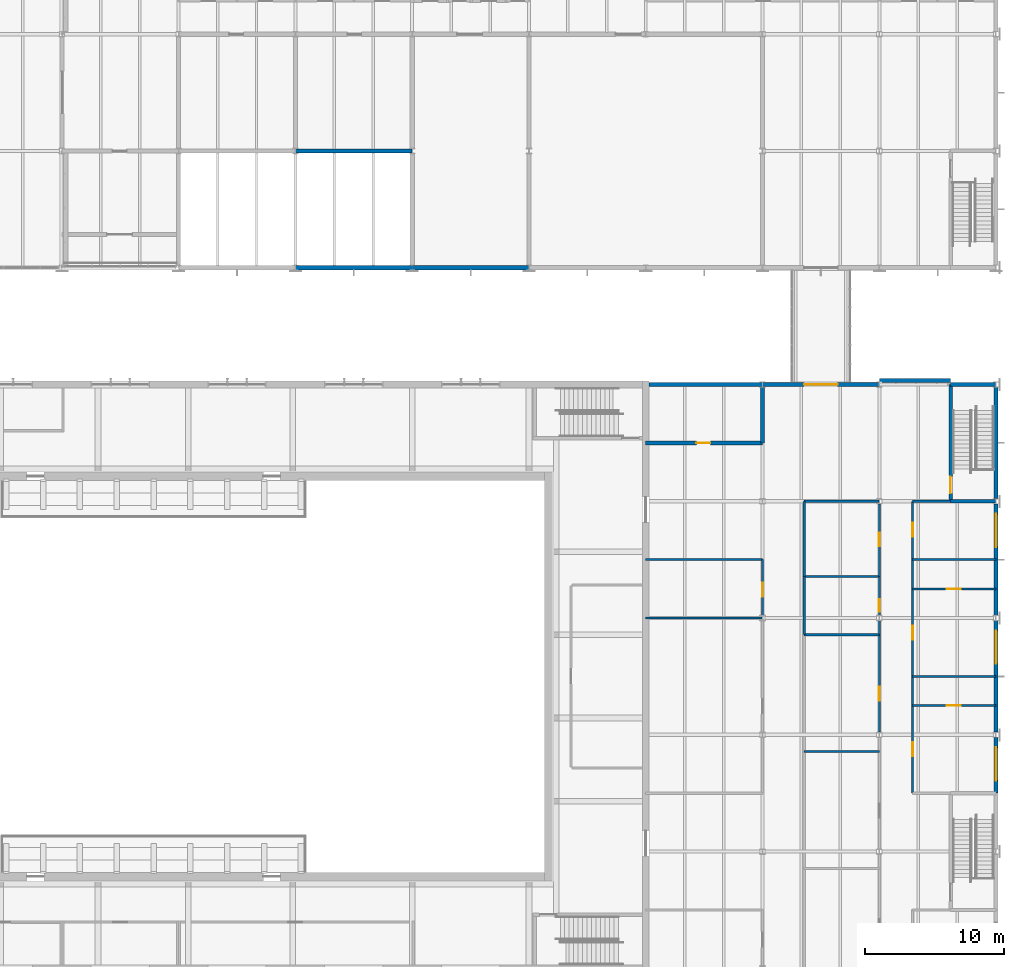
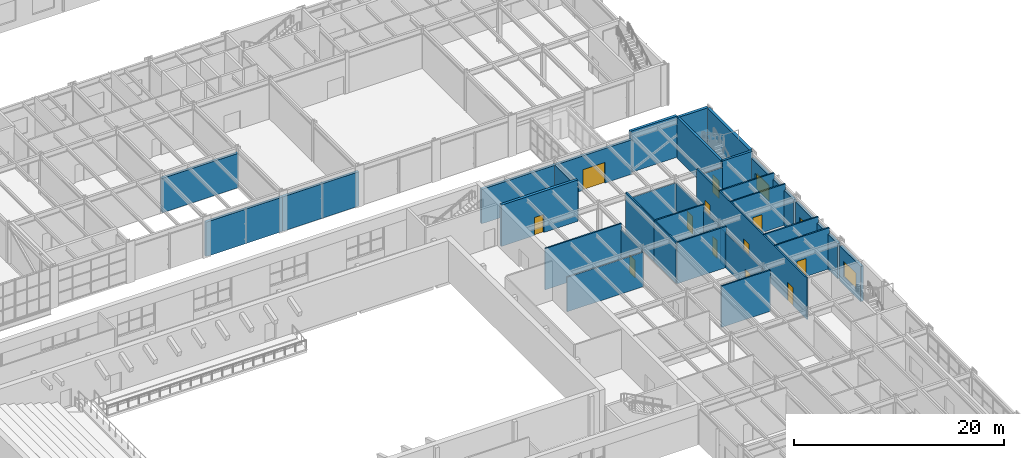
# One storey, part 81 of 127: 34 walls, 12 doors, 3 windows, 15 openings.
"""IFC4 building model written with IfcOpenShell, lengths in metres."""

from ifc_helpers import new_model, si_unit, direction, frame, frame_2d, origin, place, context, subcontext, project, spatial, rectangle, extrude, material, layer, layer_set, type_object, element, fill, save


model = new_model("IFC4")

# Units and contexts
model_context = context("Model", 3, precision=1e-05, world=origin(), true_north=direction((0.0, 1.0)))
body_context = subcontext(model_context, "Body", "Model", "MODEL_VIEW")
ifc_project = project(units=[si_unit("LENGTHUNIT", "METRE"), si_unit("AREAUNIT", "SQUARE_METRE"), si_unit("VOLUMEUNIT", "CUBIC_METRE"), si_unit("PLANEANGLEUNIT", "RADIAN"), si_unit("MASSUNIT", "GRAM", prefix="KILO")], contexts=[model_context])

# Site, building, storey
site_placement = place(None, origin())
site = spatial("IfcSite", under=ifc_project, at=site_placement, CompositionType="ELEMENT")
building_placement = place(site_placement, origin())
building = spatial("IfcBuilding", under=site, at=building_placement, Name="Ljudholm Concert House", CompositionType="ELEMENT")
storey_placement = place(building_placement, frame((0.0, 0.0, 5.39990234375)))
storey = spatial("IfcBuildingStorey", under=building, at=storey_placement, Name="L01", CompositionType="ELEMENT", Elevation=5.39990234375)

# Wall
ifc_material_1 = material(Name="Double gypsum board on staggered studs")
ifc_layer_1 = layer(ifc_material_1, 0.300048828125)
ifc_layer_set_1 = layer_set([ifc_layer_1], Name="Double gypsum board on staggered studs")
wall_type_1 = type_object("IfcWallType", Name="ACOUSTIC PARTITION 300", PredefinedType="PARTITIONING", material=ifc_layer_set_1)
wall_1_placement = place(storey_placement, frame((104.800048828125, 92.199951171875, 0.0), z_axis=(0.0, 0.0, 1.0), x_axis=(0.0, 1.0, 0.0)))
element("IfcWall", 1, at=wall_1_placement, inside=storey, type_object=wall_type_1, Name="Acoustic partition", PredefinedType="PARTITIONING", context=body_context, shape_type="SweptSolid", body=[
    extrude(rectangle(XDim=4.013427734375, YDim=0.300048828125, at=frame_2d((2.0068359375, 0.0))), origin(), (0.0, 0.0, 1.0), 4.086669921875),
])

# Wall, opening, door
wall_2_placement = place(storey_placement, frame((96.39990234375, 92.199951171875, 0.0), z_axis=(0.0, 0.0, 1.0), x_axis=(1.0, 0.0, 0.0)))
wall_2 = element("IfcWall", 2, at=wall_2_placement, inside=storey, type_object=wall_type_1, Name="Acoustic partition", PredefinedType="PARTITIONING", context=body_context, shape_type="SweptSolid", body=[
    extrude(rectangle(XDim=8.400146484375, YDim=0.300048828125, at=frame_2d((4.2001953125, 0.0))), origin(), (0.0, 0.0, 1.0), 4.800048828125),
])
opening_1_placement = place(wall_2_placement, frame((3.64990234375, 0.0, 0.0)))
opening_1 = element("IfcOpeningElement", 3, at=opening_1_placement, cuts=wall_2, Name="Opening D-W01-021", PredefinedType="OPENING", context=body_context, shape_type="SweptSolid", body=[
    extrude(rectangle(XDim=1.0, YDim=2.10009765625, at=frame_2d((0.5, 1.050048828125))), frame((0.0, 0.159912109375, 0.0), z_axis=(0.0, -1.0, 0.0), x_axis=(1.0, 0.0, 0.0)), (0.0, 0.0, 1.0), 0.320068359375),
])
ifc_material_2 = material(Name="Hollow metal door in steel frame", Category="steel")
door_type_1 = type_object("IfcDoorType", Name="SWING DOOR 1000x2100", OperationType="SINGLE_SWING_LEFT", PredefinedType="DOOR", material=ifc_material_2)
door_1_placement = place(opening_1_placement, origin())
door_1 = element("IfcDoor", 4, at=door_1_placement, inside=storey, type_object=door_type_1, Name="Door", OperationType="SINGLE_SWING_LEFT", OverallHeight=2.10009765625, OverallWidth=1.0, PredefinedType="DOOR", context=body_context, shape_type="SweptSolid", body=[
    extrude(rectangle(XDim=1.0, YDim=2.10009765625, at=frame_2d((0.5, 1.050048828125))), frame((0.0, 0.02490234375, 0.0), z_axis=(0.0, -1.0, 0.0), x_axis=(1.0, 0.0, 0.0)), (0.0, 0.0, 1.0), 0.050048828125),
])
fill(opening_1, door_1)

# Wall
wall_3_placement = place(storey_placement, frame((71.19189453125, 113.199951171875, 0.0), z_axis=(0.0, 0.0, 1.0), x_axis=(1.0, 0.0, 0.0)))
element("IfcWall", 5, at=wall_3_placement, inside=storey, type_object=wall_type_1, Name="Acoustic partition", PredefinedType="PARTITIONING", context=body_context, shape_type="SweptSolid", body=[
    extrude(rectangle(XDim=8.39990234375, YDim=0.300048828125, at=frame_2d((4.199951171875, 0.0))), origin(), (0.0, 0.0, 1.0), 4.008056640625),
])

# Wall, opening, door
ifc_material_3 = material(Name="Gypsum board on steel studs", Category="steel")
ifc_layer_2 = layer(ifc_material_3, 0.14990234375)
ifc_layer_set_2 = layer_set([ifc_layer_2], Name="Gypsum board on steel studs")
wall_type_2 = type_object("IfcWallType", Name="GYPSUM PARTITION 150", PredefinedType="PARTITIONING", material=ifc_layer_set_2)
wall_4_placement = place(storey_placement, frame((104.800048828125, 79.78662109375, 0.0), z_axis=(0.0, 0.0, 1.0), x_axis=(0.0, 1.0, 0.0)))
wall_4 = element("IfcWall", 6, at=wall_4_placement, inside=storey, type_object=wall_type_2, Name="Partition", PredefinedType="PARTITIONING", context=body_context, shape_type="SweptSolid", body=[
    extrude(rectangle(XDim=4.013427734375, YDim=0.14990234375, at=frame_2d((2.0068359375, 0.0))), origin(), (0.0, 0.0, 1.0), 4.086669921875),
])
opening_2_placement = place(wall_4_placement, frame((1.36328125, 0.0, 0.0)))
opening_2 = element("IfcOpeningElement", 7, at=opening_2_placement, cuts=wall_4, Name="Opening D-W01-020", PredefinedType="OPENING", context=body_context, shape_type="SweptSolid", body=[
    extrude(rectangle(XDim=1.0, YDim=2.10009765625, at=frame_2d((0.5, 1.050048828125))), frame((0.0, 0.0849609375, 0.0), z_axis=(0.0, -1.0, 0.0), x_axis=(1.0, 0.0, 0.0)), (0.0, 0.0, 1.0), 0.169921875),
])
door_2_placement = place(opening_2_placement, origin())
door_2 = element("IfcDoor", 8, at=door_2_placement, inside=storey, type_object=door_type_1, Name="Door", OperationType="SINGLE_SWING_RIGHT", OverallHeight=2.10009765625, OverallWidth=1.0, PredefinedType="DOOR", context=body_context, shape_type="SweptSolid", body=[
    extrude(rectangle(XDim=1.0, YDim=2.10009765625, at=frame_2d((0.5, 1.050048828125))), frame((0.0, 0.02490234375, 0.0), z_axis=(0.0, -1.0, 0.0), x_axis=(1.0, 0.0, 0.0)), (0.0, 0.0, 1.0), 0.050048828125),
])
fill(opening_2, door_2)

# Walls
wall_5_placement = place(storey_placement, frame((107.800048828125, 82.60009765625, 0.0), z_axis=(0.0, 0.0, 1.0), x_axis=(0.0, 1.0, 0.0)))
element("IfcWall", 9, at=wall_5_placement, inside=storey, type_object=wall_type_2, Name="Partition", PredefinedType="PARTITIONING", context=body_context, shape_type="SweptSolid", body=[
    extrude(rectangle(XDim=5.39990234375, YDim=0.14990234375, at=frame_2d((2.699951171875, 0.0))), origin(), (0.0, 0.0, 1.0), 4.800048828125),
])
wall_6_placement = place(storey_placement, frame((107.800048828125, 78.39990234375, 0.0), z_axis=(0.0, 0.0, 1.0), x_axis=(0.0, 1.0, 0.0)))
element("IfcWall", 10, at=wall_6_placement, inside=storey, type_object=wall_type_2, Name="Partition", PredefinedType="PARTITIONING", context=body_context, shape_type="SweptSolid", body=[
    extrude(rectangle(XDim=4.2001953125, YDim=0.14990234375, at=frame_2d((2.10009765625, 0.0))), origin(), (0.0, 0.0, 1.0), 4.800048828125),
])

# Wall, opening, door
wall_7_placement = place(storey_placement, frame((113.199951171875, 71.38671875, 0.0), z_axis=(0.0, 0.0, 1.0), x_axis=(0.0, 1.0, 0.0)))
wall_7 = element("IfcWall", 11, at=wall_7_placement, inside=storey, type_object=wall_type_2, Name="Partition", PredefinedType="PARTITIONING", context=body_context, shape_type="SweptSolid", body=[
    extrude(rectangle(XDim=7.01318359375, YDim=0.14990234375, at=frame_2d((3.506591796875, 0.0))), origin(), (0.0, 0.0, 1.0), 4.086669921875),
])
opening_3_placement = place(wall_7_placement, frame((2.263427734375, 0.0, 0.0)))
opening_3 = element("IfcOpeningElement", 12, at=opening_3_placement, cuts=wall_7, Name="Opening D-W01-030", PredefinedType="OPENING", context=body_context, shape_type="SweptSolid", body=[
    extrude(rectangle(XDim=1.0, YDim=2.10009765625, at=frame_2d((0.5, 1.050048828125))), frame((0.0, 0.0849609375, 0.0), z_axis=(0.0, -1.0, 0.0), x_axis=(1.0, 0.0, 0.0)), (0.0, 0.0, 1.0), 0.169921875),
])
door_3_placement = place(opening_3_placement, origin())
door_3 = element("IfcDoor", 13, at=door_3_placement, inside=storey, type_object=door_type_1, Name="Door", OperationType="SINGLE_SWING_LEFT", OverallHeight=2.10009765625, OverallWidth=1.0, PredefinedType="DOOR", context=body_context, shape_type="SweptSolid", body=[
    extrude(rectangle(XDim=1.0, YDim=2.10009765625, at=frame_2d((0.5, 1.050048828125))), frame((0.0, 0.02490234375, 0.0), z_axis=(0.0, -1.0, 0.0), x_axis=(1.0, 0.0, 0.0)), (0.0, 0.0, 1.0), 0.050048828125),
])
fill(opening_3, door_3)

wall_8_placement = place(storey_placement, frame((113.199951171875, 82.60009765625, 0.0), z_axis=(0.0, 0.0, 1.0), x_axis=(0.0, 1.0, 0.0)))
wall_8 = element("IfcWall", 14, at=wall_8_placement, inside=storey, type_object=wall_type_2, Name="Partition", PredefinedType="PARTITIONING", context=body_context, shape_type="SweptSolid", body=[
    extrude(rectangle(XDim=5.213134765625, YDim=0.14990234375, at=frame_2d((2.6064453125, 0.0))), origin(), (0.0, 0.0, 1.0), 4.086669921875),
])
opening_4_placement = place(wall_8_placement, frame((2.14990234375, 0.0, 0.0)))
opening_4 = element("IfcOpeningElement", 15, at=opening_4_placement, cuts=wall_8, Name="Opening D-W01-032", PredefinedType="OPENING", context=body_context, shape_type="SweptSolid", body=[
    extrude(rectangle(XDim=1.0, YDim=2.10009765625, at=frame_2d((0.5, 1.050048828125))), frame((0.0, 0.0849609375, 0.0), z_axis=(0.0, -1.0, 0.0), x_axis=(1.0, 0.0, 0.0)), (0.0, 0.0, 1.0), 0.169921875),
])
door_4_placement = place(opening_4_placement, origin())
door_4 = element("IfcDoor", 16, at=door_4_placement, inside=storey, type_object=door_type_1, Name="Door", OperationType="SINGLE_SWING_LEFT", OverallHeight=2.10009765625, OverallWidth=1.0, PredefinedType="DOOR", context=body_context, shape_type="SweptSolid", body=[
    extrude(rectangle(XDim=1.0, YDim=2.10009765625, at=frame_2d((0.5, 1.050048828125))), frame((0.0, 0.02490234375, 0.0), z_axis=(0.0, -1.0, 0.0), x_axis=(1.0, 0.0, 0.0)), (0.0, 0.0, 1.0), 0.050048828125),
])
fill(opening_4, door_4)

# Wall
wall_9_placement = place(storey_placement, frame((113.199951171875, 78.39990234375, 0.0), z_axis=(0.0, 0.0, 1.0), x_axis=(0.0, 1.0, 0.0)))
element("IfcWall", 17, at=wall_9_placement, inside=storey, type_object=wall_type_2, Name="Partition", PredefinedType="PARTITIONING", context=body_context, shape_type="SweptSolid", body=[
    extrude(rectangle(XDim=1.013427734375, YDim=0.14990234375, at=frame_2d((0.5068359375, 0.0))), origin(), (0.0, 0.0, 1.0), 4.086669921875),
])

# Wall, opening, door
wall_10_placement = place(storey_placement, frame((113.199951171875, 79.78662109375, 0.0), z_axis=(0.0, 0.0, 1.0), x_axis=(0.0, 1.0, 0.0)))
wall_10 = element("IfcWall", 18, at=wall_10_placement, inside=storey, type_object=wall_type_2, Name="Partition", PredefinedType="PARTITIONING", context=body_context, shape_type="SweptSolid", body=[
    extrude(rectangle(XDim=2.8134765625, YDim=0.14990234375, at=frame_2d((1.40673828125, 0.0))), origin(), (0.0, 0.0, 1.0), 4.086669921875),
])
opening_5_placement = place(wall_10_placement, frame((0.263427734375, 0.0, 0.0)))
opening_5 = element("IfcOpeningElement", 19, at=opening_5_placement, cuts=wall_10, Name="Opening D-W01-031", PredefinedType="OPENING", context=body_context, shape_type="SweptSolid", body=[
    extrude(rectangle(XDim=0.89990234375, YDim=2.10009765625, at=frame_2d((0.449951171875, 1.050048828125))), frame((0.0, 0.0849609375, 0.0), z_axis=(0.0, -1.0, 0.0), x_axis=(1.0, 0.0, 0.0)), (0.0, 0.0, 1.0), 0.169921875),
])
ifc_material_4 = material(Name="Hollow metal door in steel frame", Category="steel")
door_type_2 = type_object("IfcDoorType", Name="SWING DOOR 900x2100", OperationType="SINGLE_SWING_LEFT", PredefinedType="DOOR", material=ifc_material_4)
door_5_placement = place(opening_5_placement, origin())
door_5 = element("IfcDoor", 20, at=door_5_placement, inside=storey, type_object=door_type_2, Name="Door", OperationType="SINGLE_SWING_RIGHT", OverallHeight=2.10009765625, OverallWidth=0.89990234375, PredefinedType="DOOR", context=body_context, shape_type="SweptSolid", body=[
    extrude(rectangle(XDim=0.89990234375, YDim=2.10009765625, at=frame_2d((0.449951171875, 1.050048828125))), frame((0.0, 0.02490234375, 0.0), z_axis=(0.0, -1.0, 0.0), x_axis=(1.0, 0.0, 0.0)), (0.0, 0.0, 1.0), 0.050048828125),
])
fill(opening_5, door_5)

# Wall, openings, doors
wall_11_placement = place(storey_placement, frame((115.60009765625, 67.0, 0.0), z_axis=(0.0, 0.0, 1.0), x_axis=(0.0, 1.0, 0.0)))
wall_11 = element("IfcWall", 21, at=wall_11_placement, inside=storey, type_object=wall_type_2, Name="Partition", PredefinedType="PARTITIONING", context=body_context, shape_type="SweptSolid", body=[
    extrude(rectangle(XDim=21.0, YDim=0.14990234375, at=frame_2d((10.5, 0.0))), origin(), (0.0, 0.0, 1.0), 4.800048828125),
])
opening_6_placement = place(wall_11_placement, frame((2.64990234375, 0.0, 0.0)))
opening_6 = element("IfcOpeningElement", 22, at=opening_6_placement, cuts=wall_11, Name="Opening D-W01-039", PredefinedType="OPENING", context=body_context, shape_type="SweptSolid", body=[
    extrude(rectangle(XDim=1.0, YDim=2.10009765625, at=frame_2d((0.5, 1.050048828125))), frame((0.0, 0.0849609375, 0.0), z_axis=(0.0, -1.0, 0.0), x_axis=(1.0, 0.0, 0.0)), (0.0, 0.0, 1.0), 0.169921875),
])
opening_7_placement = place(wall_11_placement, frame((11.050048828125, 0.0, 0.0)))
opening_7 = element("IfcOpeningElement", 23, at=opening_7_placement, cuts=wall_11, Name="Opening D-W01-041", PredefinedType="OPENING", context=body_context, shape_type="SweptSolid", body=[
    extrude(rectangle(XDim=1.0, YDim=2.10009765625, at=frame_2d((0.5, 1.050048828125))), frame((0.0, 0.0849609375, 0.0), z_axis=(0.0, -1.0, 0.0), x_axis=(1.0, 0.0, 0.0)), (0.0, 0.0, 1.0), 0.169921875),
])
opening_8_placement = place(wall_11_placement, frame((18.449951171875, 0.0, 0.0)))
opening_8 = element("IfcOpeningElement", 24, at=opening_8_placement, cuts=wall_11, Name="Opening D-W01-043", PredefinedType="OPENING", context=body_context, shape_type="SweptSolid", body=[
    extrude(rectangle(XDim=1.0, YDim=2.10009765625, at=frame_2d((0.5, 1.050048828125))), frame((0.0, 0.0849609375, 0.0), z_axis=(0.0, -1.0, 0.0), x_axis=(1.0, 0.0, 0.0)), (0.0, 0.0, 1.0), 0.169921875),
])
door_6_placement = place(opening_6_placement, frame((1.0, 0.0, 0.0), z_axis=(0.0, 0.0, 1.0), x_axis=(-1.0, 0.0, 0.0)))
door_6 = element("IfcDoor", 25, at=door_6_placement, inside=storey, type_object=door_type_1, Name="Door", OperationType="SINGLE_SWING_RIGHT", OverallHeight=2.10009765625, OverallWidth=1.0, PredefinedType="DOOR", context=body_context, shape_type="SweptSolid", body=[
    extrude(rectangle(XDim=1.0, YDim=2.10009765625, at=frame_2d((0.5, 1.050048828125))), frame((0.0, 0.02490234375, 0.0), z_axis=(0.0, -1.0, 0.0), x_axis=(1.0, 0.0, 0.0)), (0.0, 0.0, 1.0), 0.050048828125),
])
fill(opening_6, door_6)
door_7_placement = place(opening_7_placement, frame((1.0, 0.0, 0.0), z_axis=(0.0, 0.0, 1.0), x_axis=(-1.0, 0.0, 0.0)))
door_7 = element("IfcDoor", 26, at=door_7_placement, inside=storey, type_object=door_type_1, Name="Door", OperationType="SINGLE_SWING_LEFT", OverallHeight=2.10009765625, OverallWidth=1.0, PredefinedType="DOOR", context=body_context, shape_type="SweptSolid", body=[
    extrude(rectangle(XDim=1.0, YDim=2.10009765625, at=frame_2d((0.5, 1.050048828125))), frame((0.0, 0.02490234375, 0.0), z_axis=(0.0, -1.0, 0.0), x_axis=(1.0, 0.0, 0.0)), (0.0, 0.0, 1.0), 0.050048828125),
])
fill(opening_7, door_7)
door_8_placement = place(opening_8_placement, frame((1.0, 0.0, 0.0), z_axis=(0.0, 0.0, 1.0), x_axis=(-1.0, 0.0, 0.0)))
door_8 = element("IfcDoor", 27, at=door_8_placement, inside=storey, type_object=door_type_1, Name="Door", OperationType="SINGLE_SWING_LEFT", OverallHeight=2.10009765625, OverallWidth=1.0, PredefinedType="DOOR", context=body_context, shape_type="SweptSolid", body=[
    extrude(rectangle(XDim=1.0, YDim=2.10009765625, at=frame_2d((0.5, 1.050048828125))), frame((0.0, 0.02490234375, 0.0), z_axis=(0.0, -1.0, 0.0), x_axis=(1.0, 0.0, 0.0)), (0.0, 0.0, 1.0), 0.050048828125),
])
fill(opening_8, door_8)

# Wall
wall_12_placement = place(storey_placement, frame((107.800048828125, 70.0, 0.0), z_axis=(0.0, 0.0, 1.0), x_axis=(1.0, 0.0, 0.0)))
element("IfcWall", 28, at=wall_12_placement, inside=storey, type_object=wall_type_2, Name="Partition", PredefinedType="PARTITIONING", context=body_context, shape_type="SweptSolid", body=[
    extrude(rectangle(XDim=5.39990234375, YDim=0.14990234375, at=frame_2d((2.699951171875, 0.0))), origin(), (0.0, 0.0, 1.0), 4.800048828125),
])

# Wall, opening, door
wall_13_placement = place(storey_placement, frame((115.60009765625, 73.300048828125, 0.0), z_axis=(0.0, 0.0, 1.0), x_axis=(1.0, 0.0, 0.0)))
wall_13 = element("IfcWall", 29, at=wall_13_placement, inside=storey, type_object=wall_type_2, Name="Partition", PredefinedType="PARTITIONING", context=body_context, shape_type="SweptSolid", body=[
    extrude(rectangle(XDim=6.0, YDim=0.14990234375, at=frame_2d((3.0, 0.0))), origin(), (0.0, 0.0, 1.0), 4.800048828125),
])
opening_9_placement = place(wall_13_placement, frame((2.449951171875, 0.0, 0.0)))
opening_9 = element("IfcOpeningElement", 30, at=opening_9_placement, cuts=wall_13, Name="Opening D-W01-040", PredefinedType="OPENING", context=body_context, shape_type="SweptSolid", body=[
    extrude(rectangle(XDim=1.0, YDim=2.10009765625, at=frame_2d((0.5, 1.050048828125))), frame((0.0, 0.0849609375, 0.0), z_axis=(0.0, -1.0, 0.0), x_axis=(1.0, 0.0, 0.0)), (0.0, 0.0, 1.0), 0.169921875),
])
door_9_placement = place(opening_9_placement, origin())
door_9 = element("IfcDoor", 31, at=door_9_placement, inside=storey, type_object=door_type_1, Name="Door", OperationType="SINGLE_SWING_LEFT", OverallHeight=2.10009765625, OverallWidth=1.0, PredefinedType="DOOR", context=body_context, shape_type="SweptSolid", body=[
    extrude(rectangle(XDim=1.0, YDim=2.10009765625, at=frame_2d((0.5, 1.050048828125))), frame((0.0, 0.02490234375, 0.0), z_axis=(0.0, -1.0, 0.0), x_axis=(1.0, 0.0, 0.0)), (0.0, 0.0, 1.0), 0.050048828125),
])
fill(opening_9, door_9)

# Walls
wall_14_placement = place(storey_placement, frame((115.60009765625, 75.39990234375, 0.0), z_axis=(0.0, 0.0, 1.0), x_axis=(1.0, 0.0, 0.0)))
element("IfcWall", 32, at=wall_14_placement, inside=storey, type_object=wall_type_2, Name="Partition", PredefinedType="PARTITIONING", context=body_context, shape_type="SweptSolid", body=[
    extrude(rectangle(XDim=6.0, YDim=0.14990234375, at=frame_2d((3.0, 0.0))), origin(), (0.0, 0.0, 1.0), 4.800048828125),
])
wall_15_placement = place(storey_placement, frame((107.800048828125, 78.39990234375, 0.0), z_axis=(0.0, 0.0, 1.0), x_axis=(1.0, 0.0, 0.0)))
element("IfcWall", 33, at=wall_15_placement, inside=storey, type_object=wall_type_2, Name="Partition", PredefinedType="PARTITIONING", context=body_context, shape_type="SweptSolid", body=[
    extrude(rectangle(XDim=5.39990234375, YDim=0.14990234375, at=frame_2d((2.699951171875, 0.0))), origin(), (0.0, 0.0, 1.0), 4.800048828125),
])
wall_16_placement = place(storey_placement, frame((96.39990234375, 79.60009765625, 0.0), z_axis=(0.0, 0.0, 1.0), x_axis=(1.0, 0.0, 0.0)))
element("IfcWall", 34, at=wall_16_placement, inside=storey, type_object=wall_type_2, Name="Partition", PredefinedType="PARTITIONING", context=body_context, shape_type="SweptSolid", body=[
    extrude(rectangle(XDim=8.391845703125, YDim=0.14990234375, at=frame_2d((4.19580078125, 0.0))), origin(), (0.0, 0.0, 1.0), 4.008056640625),
])

# Wall, opening, door
wall_17_placement = place(storey_placement, frame((115.60009765625, 81.699951171875, 0.0), z_axis=(0.0, 0.0, 1.0), x_axis=(1.0, 0.0, 0.0)))
wall_17 = element("IfcWall", 35, at=wall_17_placement, inside=storey, type_object=wall_type_2, Name="Partition", PredefinedType="PARTITIONING", context=body_context, shape_type="SweptSolid", body=[
    extrude(rectangle(XDim=6.0, YDim=0.14990234375, at=frame_2d((3.0, 0.0))), origin(), (0.0, 0.0, 1.0), 4.800048828125),
])
opening_10_placement = place(wall_17_placement, frame((2.449951171875, 0.0, 0.0)))
opening_10 = element("IfcOpeningElement", 36, at=opening_10_placement, cuts=wall_17, Name="Opening D-W01-042", PredefinedType="OPENING", context=body_context, shape_type="SweptSolid", body=[
    extrude(rectangle(XDim=1.0, YDim=2.10009765625, at=frame_2d((0.5, 1.050048828125))), frame((0.0, 0.0849609375, 0.0), z_axis=(0.0, -1.0, 0.0), x_axis=(1.0, 0.0, 0.0)), (0.0, 0.0, 1.0), 0.169921875),
])
door_10_placement = place(opening_10_placement, origin())
door_10 = element("IfcDoor", 37, at=door_10_placement, inside=storey, type_object=door_type_1, Name="Door", OperationType="SINGLE_SWING_RIGHT", OverallHeight=2.10009765625, OverallWidth=1.0, PredefinedType="DOOR", context=body_context, shape_type="SweptSolid", body=[
    extrude(rectangle(XDim=1.0, YDim=2.10009765625, at=frame_2d((0.5, 1.050048828125))), frame((0.0, 0.02490234375, 0.0), z_axis=(0.0, -1.0, 0.0), x_axis=(1.0, 0.0, 0.0)), (0.0, 0.0, 1.0), 0.050048828125),
])
fill(opening_10, door_10)

# Walls
wall_18_placement = place(storey_placement, frame((107.800048828125, 82.60009765625, 0.0), z_axis=(0.0, 0.0, 1.0), x_axis=(1.0, 0.0, 0.0)))
element("IfcWall", 38, at=wall_18_placement, inside=storey, type_object=wall_type_2, Name="Partition", PredefinedType="PARTITIONING", context=body_context, shape_type="SweptSolid", body=[
    extrude(rectangle(XDim=5.39990234375, YDim=0.14990234375, at=frame_2d((2.699951171875, 0.0))), origin(), (0.0, 0.0, 1.0), 4.800048828125),
])
wall_19_placement = place(storey_placement, frame((96.39990234375, 83.800048828125, 0.0), z_axis=(0.0, 0.0, 1.0), x_axis=(1.0, 0.0, 0.0)))
element("IfcWall", 39, at=wall_19_placement, inside=storey, type_object=wall_type_2, Name="Partition", PredefinedType="PARTITIONING", context=body_context, shape_type="SweptSolid", body=[
    extrude(rectangle(XDim=8.400146484375, YDim=0.14990234375, at=frame_2d((4.2001953125, 0.0))), origin(), (0.0, 0.0, 1.0), 4.800048828125),
])
wall_20_placement = place(storey_placement, frame((115.60009765625, 83.800048828125, 0.0), z_axis=(0.0, 0.0, 1.0), x_axis=(1.0, 0.0, 0.0)))
element("IfcWall", 40, at=wall_20_placement, inside=storey, type_object=wall_type_2, Name="Partition", PredefinedType="PARTITIONING", context=body_context, shape_type="SweptSolid", body=[
    extrude(rectangle(XDim=6.0, YDim=0.14990234375, at=frame_2d((3.0, 0.0))), origin(), (0.0, 0.0, 1.0), 4.800048828125),
])
wall_21_placement = place(storey_placement, frame((107.800048828125, 88.0, 0.0), z_axis=(0.0, 0.0, 1.0), x_axis=(1.0, 0.0, 0.0)))
element("IfcWall", 41, at=wall_21_placement, inside=storey, type_object=wall_type_2, Name="Partition", PredefinedType="PARTITIONING", context=body_context, shape_type="SweptSolid", body=[
    extrude(rectangle(XDim=5.391845703125, YDim=0.14990234375, at=frame_2d((2.69580078125, 0.0))), origin(), (0.0, 0.0, 1.0), 4.008056640625),
])
wall_22_placement = place(storey_placement, frame((115.60009765625, 88.0, 0.0), z_axis=(0.0, 0.0, 1.0), x_axis=(1.0, 0.0, 0.0)))
element("IfcWall", 42, at=wall_22_placement, inside=storey, type_object=wall_type_2, Name="Partition", PredefinedType="PARTITIONING", context=body_context, shape_type="SweptSolid", body=[
    extrude(rectangle(XDim=2.724853515625, YDim=0.14990234375, at=frame_2d((1.3623046875, 0.0))), origin(), (0.0, 0.0, 1.0), 4.008056640625),
])

# Wall, opening, window
ifc_material_5 = material(Name="Precast concrete 5,000 psi", Category="concrete")
ifc_layer_3 = layer(ifc_material_5, 0.300048828125)
ifc_layer_set_3 = layer_set([ifc_layer_3], Name="Precast concrete 5,000 psi")
wall_type_3 = type_object("IfcWallType", Name="PRECAST PANEL WALL 300", PredefinedType="SOLIDWALL", material=ifc_layer_set_3)
wall_23_placement = place(storey_placement, frame((121.60009765625, 67.0, 0.0), z_axis=(0.0, 0.0, 1.0), x_axis=(0.0, 1.0, 0.0)))
wall_23 = element("IfcWall", 43, at=wall_23_placement, inside=storey, type_object=wall_type_3, Name="Facade wall", PredefinedType="SOLIDWALL", context=body_context, shape_type="SweptSolid", body=[
    extrude(rectangle(XDim=4.013427734375, YDim=0.300048828125, at=frame_2d((2.0068359375, 0.0))), origin(), (0.0, 0.0, 1.0), 4.086669921875),
])
opening_11_placement = place(wall_23_placement, frame((0.89990234375, 0.0, 0.949951171875)))
opening_11 = element("IfcOpeningElement", 44, at=opening_11_placement, cuts=wall_23, Name="Opening X-W01-010", PredefinedType="OPENING", context=body_context, shape_type="SweptSolid", body=[
    extrude(rectangle(XDim=2.39990234375, YDim=1.800048828125, at=frame_2d((1.199951171875, 0.89990234375))), frame((0.0, 0.159912109375, 0.0), z_axis=(0.0, -1.0, 0.0), x_axis=(1.0, 0.0, 0.0)), (0.0, 0.0, 1.0), 0.320068359375),
])
ifc_material_6 = material(Name="Aluminium frame, impact glazing", Category="aluminium")
window_type = type_object("IfcWindowType", Name="CASEMENT WINDOW 2400x1800", PartitioningType="DOUBLE_PANEL_VERTICAL", PredefinedType="WINDOW", material=ifc_material_6)
window_1_placement = place(opening_11_placement, origin())
window_1 = element("IfcWindow", 45, at=window_1_placement, inside=storey, type_object=window_type, Name="Window", OverallHeight=1.800048828125, OverallWidth=2.39990234375, PartitioningType="DOUBLE_PANEL_VERTICAL", PredefinedType="WINDOW", context=body_context, shape_type="SweptSolid", body=[
    extrude(rectangle(XDim=2.39990234375, YDim=1.800048828125, at=frame_2d((1.199951171875, 0.89990234375))), frame((0.0, 0.030029296875, 0.0), z_axis=(0.0, -1.0, 0.0), x_axis=(1.0, 0.0, 0.0)), (0.0, 0.0, 1.0), 0.06005859375),
])
fill(opening_11, window_1)

wall_24_placement = place(storey_placement, frame((121.60009765625, 71.38671875, 0.0), z_axis=(0.0, 0.0, 1.0), x_axis=(0.0, 1.0, 0.0)))
wall_24 = element("IfcWall", 46, at=wall_24_placement, inside=storey, type_object=wall_type_3, Name="Facade wall", PredefinedType="SOLIDWALL", context=body_context, shape_type="SweptSolid", body=[
    extrude(rectangle(XDim=8.026611328125, YDim=0.300048828125, at=frame_2d((4.01318359375, 0.0))), origin(), (0.0, 0.0, 1.0), 4.086669921875),
])
opening_12_placement = place(wall_24_placement, frame((4.913330078125, 0.0, 0.949951171875)))
opening_12 = element("IfcOpeningElement", 47, at=opening_12_placement, cuts=wall_24, Name="Opening X-W01-011", PredefinedType="OPENING", context=body_context, shape_type="SweptSolid", body=[
    extrude(rectangle(XDim=2.39990234375, YDim=1.800048828125, at=frame_2d((1.199951171875, 0.89990234375))), frame((0.0, 0.159912109375, 0.0), z_axis=(0.0, -1.0, 0.0), x_axis=(1.0, 0.0, 0.0)), (0.0, 0.0, 1.0), 0.320068359375),
])
window_2_placement = place(opening_12_placement, origin())
window_2 = element("IfcWindow", 48, at=window_2_placement, inside=storey, type_object=window_type, Name="Window", OverallHeight=1.800048828125, OverallWidth=2.39990234375, PartitioningType="DOUBLE_PANEL_VERTICAL", PredefinedType="WINDOW", context=body_context, shape_type="SweptSolid", body=[
    extrude(rectangle(XDim=2.39990234375, YDim=1.800048828125, at=frame_2d((1.199951171875, 0.89990234375))), frame((0.0, 0.030029296875, 0.0), z_axis=(0.0, -1.0, 0.0), x_axis=(1.0, 0.0, 0.0)), (0.0, 0.0, 1.0), 0.06005859375),
])
fill(opening_12, window_2)

wall_25_placement = place(storey_placement, frame((121.60009765625, 79.78662109375, 0.0), z_axis=(0.0, 0.0, 1.0), x_axis=(0.0, 1.0, 0.0)))
wall_25 = element("IfcWall", 49, at=wall_25_placement, inside=storey, type_object=wall_type_3, Name="Facade wall", PredefinedType="SOLIDWALL", context=body_context, shape_type="SweptSolid", body=[
    extrude(rectangle(XDim=8.026611328125, YDim=0.300048828125, at=frame_2d((4.01318359375, 0.0))), origin(), (0.0, 0.0, 1.0), 4.086669921875),
])
opening_13_placement = place(wall_25_placement, frame((4.913330078125, 0.0, 0.949951171875)))
opening_13 = element("IfcOpeningElement", 50, at=opening_13_placement, cuts=wall_25, Name="Opening X-W01-012", PredefinedType="OPENING", context=body_context, shape_type="SweptSolid", body=[
    extrude(rectangle(XDim=2.39990234375, YDim=1.800048828125, at=frame_2d((1.199951171875, 0.89990234375))), frame((0.0, 0.159912109375, 0.0), z_axis=(0.0, -1.0, 0.0), x_axis=(1.0, 0.0, 0.0)), (0.0, 0.0, 1.0), 0.320068359375),
])
window_3_placement = place(opening_13_placement, origin())
window_3 = element("IfcWindow", 51, at=window_3_placement, inside=storey, type_object=window_type, Name="Window", OverallHeight=1.800048828125, OverallWidth=2.39990234375, PartitioningType="DOUBLE_PANEL_VERTICAL", PredefinedType="WINDOW", context=body_context, shape_type="SweptSolid", body=[
    extrude(rectangle(XDim=2.39990234375, YDim=1.800048828125, at=frame_2d((1.199951171875, 0.89990234375))), frame((0.0, 0.030029296875, 0.0), z_axis=(0.0, -1.0, 0.0), x_axis=(1.0, 0.0, 0.0)), (0.0, 0.0, 1.0), 0.06005859375),
])
fill(opening_13, window_3)

# Wall
wall_26_placement = place(storey_placement, frame((96.64990234375, 96.39990234375, 0.0), z_axis=(0.0, 0.0, 1.0), x_axis=(1.0, 0.0, 0.0)))
element("IfcWall", 52, at=wall_26_placement, inside=storey, type_object=wall_type_3, Name="Facade wall", PredefinedType="SOLIDWALL", context=body_context, shape_type="SweptSolid", body=[
    extrude(rectangle(XDim=8.158203125, YDim=0.300048828125, at=frame_2d((4.0791015625, 0.0))), origin(), (0.0, 0.0, 1.0), 4.008056640625),
])

# Wall, opening, door
wall_27_placement = place(storey_placement, frame((104.791748046875, 96.39990234375, 0.0), z_axis=(0.0, 0.0, 1.0), x_axis=(1.0, 0.0, 0.0)))
wall_27 = element("IfcWall", 53, at=wall_27_placement, inside=storey, type_object=wall_type_3, Name="Facade wall", PredefinedType="SOLIDWALL", context=body_context, shape_type="SweptSolid", body=[
    extrude(rectangle(XDim=8.400146484375, YDim=0.300048828125, at=frame_2d((4.2001953125, 0.0))), origin(), (0.0, 0.0, 1.0), 4.008056640625),
])
opening_14_placement = place(wall_27_placement, frame((3.00830078125, 0.0, 0.0)))
opening_14 = element("IfcOpeningElement", 54, at=opening_14_placement, cuts=wall_27, Name="Opening D-W01-046", PredefinedType="OPENING", context=body_context, shape_type="SweptSolid", body=[
    extrude(rectangle(XDim=2.39990234375, YDim=2.39990234375, at=frame_2d((1.199951171875, 1.199951171875))), frame((0.0, 0.159912109375, 0.0), z_axis=(0.0, -1.0, 0.0), x_axis=(1.0, 0.0, 0.0)), (0.0, 0.0, 1.0), 0.320068359375),
])
ifc_material_7 = material(Name="Hollow metal door in steel frame", Category="steel")
door_type_3 = type_object("IfcDoorType", Name="DOUBLE DOOR 2400x2400", OperationType="DOUBLE_DOOR_SINGLE_SWING", PredefinedType="DOOR", material=ifc_material_7)
door_11_placement = place(opening_14_placement, origin())
door_11 = element("IfcDoor", 55, at=door_11_placement, inside=storey, type_object=door_type_3, Name="Bridge door", OperationType="DOUBLE_DOOR_SINGLE_SWING", OverallHeight=2.39990234375, OverallWidth=2.39990234375, PredefinedType="DOOR", context=body_context, shape_type="SweptSolid", body=[
    extrude(rectangle(XDim=2.39990234375, YDim=2.39990234375, at=frame_2d((1.199951171875, 1.199951171875))), frame((0.0, 0.02490234375, 0.0), z_axis=(0.0, -1.0, 0.0), x_axis=(1.0, 0.0, 0.0)), (0.0, 0.0, 1.0), 0.050048828125),
])
fill(opening_14, door_11)

# Walls
wall_28_placement = place(storey_placement, frame((113.208251953125, 96.6796875, 0.0), z_axis=(0.0, 0.0, 1.0), x_axis=(1.0, 0.0, 0.0)))
element("IfcWall", 56, at=wall_28_placement, inside=storey, type_object=wall_type_3, Name="Facade wall (braced bay)", PredefinedType="SOLIDWALL", context=body_context, shape_type="SweptSolid", body=[
    extrude(rectangle(XDim=5.11669921875, YDim=0.300048828125, at=frame_2d((2.558349609375, 0.0))), origin(), (0.0, 0.0, 1.0), 4.800048828125),
])
wall_29_placement = place(storey_placement, frame((71.19189453125, 104.800048828125, 0.0), z_axis=(0.0, 0.0, 1.0), x_axis=(1.0, 0.0, 0.0)))
element("IfcWall", 57, at=wall_29_placement, inside=storey, type_object=wall_type_3, Name="Facade wall", PredefinedType="SOLIDWALL", context=body_context, shape_type="SweptSolid", body=[
    extrude(rectangle(XDim=8.416259765625, YDim=0.300048828125, at=frame_2d((4.2080078125, 0.0))), origin(), (0.0, 0.0, 1.0), 4.008056640625),
])
wall_30_placement = place(storey_placement, frame((79.591796875, 104.800048828125, 0.0), z_axis=(0.0, 0.0, 1.0), x_axis=(1.0, 0.0, 0.0)))
element("IfcWall", 58, at=wall_30_placement, inside=storey, type_object=wall_type_3, Name="Facade wall", PredefinedType="SOLIDWALL", context=body_context, shape_type="SweptSolid", body=[
    extrude(rectangle(XDim=8.41650390625, YDim=0.300048828125, at=frame_2d((4.208251953125, 0.0))), origin(), (0.0, 0.0, 1.0), 4.008056640625),
])

# Wall, opening, door
ifc_material_8 = material(Name="Concrete 6,500 psi", Category="concrete")
ifc_layer_4 = layer(ifc_material_8, 0.25)
ifc_layer_set_4 = layer_set([ifc_layer_4], Name="Concrete 6,500 psi")
wall_type_4 = type_object("IfcWallType", Name="RC CORE WALL 250", PredefinedType="SHEAR", material=ifc_layer_set_4)
wall_31_placement = place(storey_placement, frame((118.324951171875, 88.0, 0.0), z_axis=(0.0, 0.0, 1.0), x_axis=(0.0, 1.0, 0.0)))
wall_31 = element("IfcWall", 59, at=wall_31_placement, inside=storey, type_object=wall_type_4, Name="Stair core wall", PredefinedType="SHEAR", context=body_context, shape_type="SweptSolid", body=[
    extrude(rectangle(XDim=8.39990234375, YDim=0.25, at=frame_2d((4.199951171875, 0.0))), origin(), (0.0, 0.0, 1.0), 4.800048828125),
])
opening_15_placement = place(wall_31_placement, frame((0.574951171875, 0.0, 0.0)))
opening_15 = element("IfcOpeningElement", 60, at=opening_15_placement, cuts=wall_31, Name="Opening D-W01-006", PredefinedType="OPENING", context=body_context, shape_type="SweptSolid", body=[
    extrude(rectangle(XDim=1.199951171875, YDim=2.10009765625, at=frame_2d((0.60009765625, 1.050048828125))), frame((0.0, 0.135009765625, 0.0), z_axis=(0.0, -1.0, 0.0), x_axis=(1.0, 0.0, 0.0)), (0.0, 0.0, 1.0), 0.27001953125),
])
ifc_material_9 = material(Name="Hollow metal door in steel frame", Category="steel")
door_type_4 = type_object("IfcDoorType", Name="SWING DOOR 1200x2100", OperationType="SINGLE_SWING_LEFT", PredefinedType="DOOR", material=ifc_material_9)
door_12_placement = place(opening_15_placement, origin())
door_12 = element("IfcDoor", 61, at=door_12_placement, inside=storey, type_object=door_type_4, Name="Door", OperationType="SINGLE_SWING_LEFT", OverallHeight=2.10009765625, OverallWidth=1.199951171875, PredefinedType="DOOR", context=body_context, shape_type="SweptSolid", body=[
    extrude(rectangle(XDim=1.199951171875, YDim=2.10009765625, at=frame_2d((0.60009765625, 1.050048828125))), frame((0.0, 0.02490234375, 0.0), z_axis=(0.0, -1.0, 0.0), x_axis=(1.0, 0.0, 0.0)), (0.0, 0.0, 1.0), 0.050048828125),
])
fill(opening_15, door_12)

# Walls
wall_32_placement = place(storey_placement, frame((118.324951171875, 88.0, 0.0), z_axis=(0.0, 0.0, 1.0), x_axis=(1.0, 0.0, 0.0)))
element("IfcWall", 62, at=wall_32_placement, inside=storey, type_object=wall_type_4, Name="Stair core wall", PredefinedType="SHEAR", context=body_context, shape_type="SweptSolid", body=[
    extrude(rectangle(XDim=3.266845703125, YDim=0.25, at=frame_2d((1.63330078125, 0.0))), origin(), (0.0, 0.0, 1.0), 4.800048828125),
])
ifc_material_10 = material(Name="Concrete 6,500 psi", Category="concrete")
ifc_layer_5 = layer(ifc_material_10, 0.300048828125)
ifc_layer_set_5 = layer_set([ifc_layer_5], Name="Concrete 6,500 psi")
wall_type_5 = type_object("IfcWallType", Name="RC CORE WALL 300", PredefinedType="SHEAR", material=ifc_layer_set_5)
wall_33_placement = place(storey_placement, frame((121.60009765625, 88.186767578125, 0.0), z_axis=(0.0, 0.0, 1.0), x_axis=(0.0, 1.0, 0.0)))
element("IfcWall", 63, at=wall_33_placement, inside=storey, type_object=wall_type_5, Name="Stair core wall", PredefinedType="SHEAR", context=body_context, shape_type="SweptSolid", body=[
    extrude(rectangle(XDim=8.026611328125, YDim=0.300048828125, at=frame_2d((4.01318359375, 0.0))), origin(), (0.0, 0.0, 1.0), 4.800048828125),
])
wall_34_placement = place(storey_placement, frame((118.324951171875, 96.39990234375, 0.0), z_axis=(0.0, 0.0, 1.0), x_axis=(1.0, 0.0, 0.0)))
element("IfcWall", 64, at=wall_34_placement, inside=storey, type_object=wall_type_5, Name="Stair core wall", PredefinedType="SHEAR", context=body_context, shape_type="SweptSolid", body=[
    extrude(rectangle(XDim=3.266845703125, YDim=0.300048828125, at=frame_2d((1.63330078125, 0.0))), origin(), (0.0, 0.0, 1.0), 4.800048828125),
])

save(model, "model.ifc")
